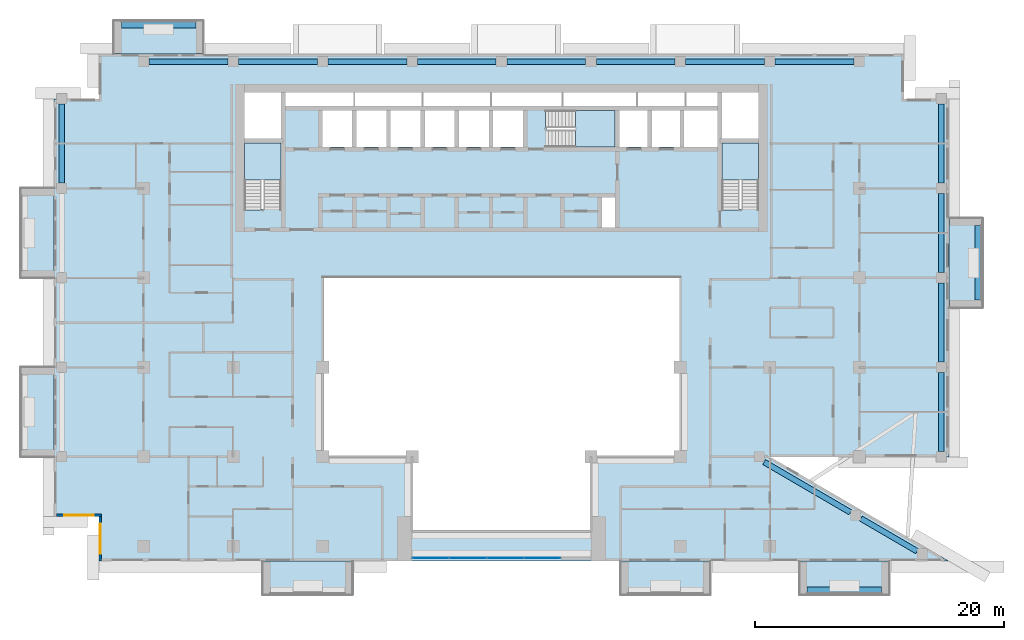
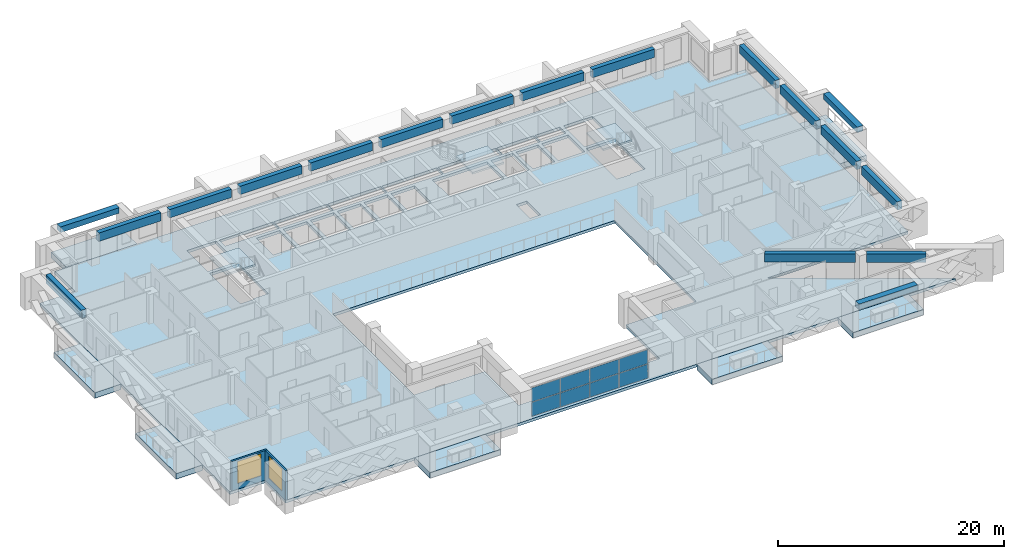
# One storey, part 5 of 20: 18 beams, 11 slabs, 8 plates, 2 walls, 2 windows, 2 openings, 4 elements without a shape of their own.
"""IFC4 building model written with IfcOpenShell, lengths in metres."""

from ifc_helpers import new_model, si_unit, direction, frame, frame_2d, origin, origin_2d, place, context, subcontext, project, spatial, polyline, rectangle, outline, extrude, source, transform, mapped, material, layer, layer_set, material_profile, profile_set, type_object, element, fill, aggregate, save


model = new_model("IFC4")

# Units and contexts
model_context = context("Model", 3, precision=1e-05, world=origin(), true_north=direction((0.0, 1.0)))
body_context = subcontext(model_context, "Body", "Model", "MODEL_VIEW")
ifc_project = project(units=[si_unit("LENGTHUNIT", "METRE"), si_unit("AREAUNIT", "SQUARE_METRE"), si_unit("VOLUMEUNIT", "CUBIC_METRE"), si_unit("PLANEANGLEUNIT", "RADIAN"), si_unit("MASSUNIT", "GRAM", prefix="KILO")], contexts=[model_context])

# Site, building, storey
site_placement = place(None, origin())
site = spatial("IfcSite", under=ifc_project, at=site_placement, CompositionType="ELEMENT")
building_placement = place(site_placement, origin())
building = spatial("IfcBuilding", under=site, at=building_placement, Name="Saffron Iwan Residences", CompositionType="ELEMENT")
storey_placement = place(building_placement, frame((0.0, 0.0, 153.5)))
storey = spatial("IfcBuildingStorey", under=building, at=storey_placement, Name="L40", CompositionType="ELEMENT", Elevation=153.5)

# Beams
ifc_material_1 = material(Name="Concrete C50/60", Category="concrete")
ifc_material_profile_1 = material_profile(ifc_material_1, rectangle(XDim=0.449951171875, YDim=0.89990234375, at=origin_2d()), Name="RC 450x900")
ifc_profile_set_1 = profile_set([ifc_material_profile_1], Name="Concrete C50/60")
beam_type_1 = type_object("IfcBeamType", Name="SPANDREL BEAM RC 450x900 C50/60 TOP 3200", PredefinedType="SPANDREL", material=ifc_profile_set_1)
shared_shape_1 = source(origin(), body_context, "Body", "SweptSolid", [
    extrude(rectangle(XDim=0.449951171875, YDim=0.89990234375, at=origin_2d()), origin(), (0.0, 0.0, 1.0), 5.24267578125),
])
beam_1_placement = place(storey_placement, frame((79.32275390625, 43.03369140625, 2.75), z_axis=(0.863783967805, -0.503862339299, 0.0), x_axis=(0.503862339299, 0.863783967805, 0.0)))
element("IfcBeam", 1, at=beam_1_placement, inside=storey, type_object=beam_type_1, Name="Spandrel beam", PredefinedType="SPANDREL", context=body_context, shape_type="MappedRepresentation", body=[
    mapped(shared_shape_1, transform((0.0, 0.0, 0.0))),
])
shared_shape_2 = source(origin(), body_context, "Body", "SweptSolid", [
    extrude(rectangle(XDim=0.449951171875, YDim=0.89990234375, at=origin_2d()), origin(), (0.0, 0.0, 1.0), 8.028564453125),
])
beam_2_placement = place(storey_placement, frame((71.537841796875, 47.574951171875, 2.75), z_axis=(0.863773386225, -0.503880479132, 0.0), x_axis=(0.503880479132, 0.863773386225, 0.0)))
element("IfcBeam", 2, at=beam_2_placement, inside=storey, type_object=beam_type_1, Name="Spandrel beam", PredefinedType="SPANDREL", context=body_context, shape_type="MappedRepresentation", body=[
    mapped(shared_shape_2, transform((0.0, 0.0, 0.0))),
])
shared_shape_3 = source(origin(), body_context, "Body", "SweptSolid", [
    extrude(rectangle(XDim=0.449951171875, YDim=0.89990234375, at=origin_2d()), origin(), (0.0, 0.0, 1.0), 6.349853515625),
])
for number, where, z_axis, x_axis, name in (
    (3, (85.800048828125, 54.77490234375, 2.75), (0.0, -1.0, 0.0), (1.0, 0.0, 0.0), "Spandrel beam"),
    (4, (29.22509765625, 79.800048828125, 2.75), (1.0, 0.0, 0.0), (0.0, 1.0, 0.0), "Spandrel beam"),
    (5, (36.425048828125, 79.800048828125, 2.75), (1.0, 0.0, 0.0), (0.0, 1.0, 0.0), "Spandrel beam"),
    (6, (65.22509765625, 79.800048828125, 2.75), (1.0, 0.0, 0.0), (0.0, 1.0, 0.0), "Spandrel beam"),
    (7, (72.425048828125, 79.800048828125, 2.75), (1.0, 0.0, 0.0), (0.0, 1.0, 0.0), "Spandrel beam"),
):
    element("IfcBeam", number, at=place(storey_placement, frame(where, z_axis=z_axis, x_axis=x_axis)), inside=storey, type_object=beam_type_1, Name=name, PredefinedType="SPANDREL", context=body_context, shape_type="MappedRepresentation", body=[
        mapped(shared_shape_3, transform((0.0, 0.0, 0.0))),
    ])
shared_shape_4 = source(origin(), body_context, "Body", "SweptSolid", [
    extrude(rectangle(XDim=0.449951171875, YDim=0.89990234375, at=origin_2d()), origin(), (0.0, 0.0, 1.0), 6.35009765625),
])
for number, where, z_axis, x_axis, name in (
    (8, (85.800048828125, 61.97509765625, 2.75), (0.0, -1.0, 0.0), (1.0, 0.0, 0.0), "Spandrel beam"),
    (9, (85.800048828125, 69.175048828125, 2.75), (0.0, -1.0, 0.0), (1.0, 0.0, 0.0), "Spandrel beam"),
    (10, (15.0, 70.02490234375, 2.75), (0.0, 1.0, 0.0), (-1.0, 0.0, 0.0), "Spandrel beam"),
    (11, (85.800048828125, 76.375, 2.75), (0.0, -1.0, 0.0), (1.0, 0.0, 0.0), "Spandrel beam"),
    (12, (22.02490234375, 79.800048828125, 2.75), (1.0, 0.0, 0.0), (0.0, 1.0, 0.0), "Spandrel beam"),
    (13, (43.625, 79.800048828125, 2.75), (1.0, 0.0, 0.0), (0.0, 1.0, 0.0), "Spandrel beam"),
    (14, (50.824951171875, 79.800048828125, 2.75), (1.0, 0.0, 0.0), (0.0, 1.0, 0.0), "Spandrel beam"),
    (15, (58.02490234375, 79.800048828125, 2.75), (1.0, 0.0, 0.0), (0.0, 1.0, 0.0), "Spandrel beam"),
):
    element("IfcBeam", number, at=place(storey_placement, frame(where, z_axis=z_axis, x_axis=x_axis)), inside=storey, type_object=beam_type_1, Name=name, PredefinedType="SPANDREL", context=body_context, shape_type="MappedRepresentation", body=[
        mapped(shared_shape_4, transform((0.0, 0.0, 0.0))),
    ])
ifc_material_2 = material(Name="Concrete C50/60 white painted", Category="concrete")
ifc_material_profile_2 = material_profile(ifc_material_2, rectangle(XDim=0.60009765625, YDim=0.60009765625, at=origin_2d()), Name="BALCONY FASCIA BEAM 600 x 600")
ifc_profile_set_2 = profile_set([ifc_material_profile_2], Name="Concrete C50/60 white painted")
beam_type_2 = type_object("IfcBeamType", Name="BALCONY FASCIA BEAM 600 x 600", PredefinedType="BEAM", material=ifc_profile_set_2)
shared_shape_5 = source(origin(), body_context, "Body", "SweptSolid", [
    extrude(rectangle(XDim=0.60009765625, YDim=0.60009765625, at=origin_2d()), origin(), (0.0, 0.0, 1.0), 6.0),
])
for number, where, z_axis, x_axis, name in (
    (16, (88.800048828125, 60.60009765625, 2.550048828125), (0.0, 1.0, 0.0), (-1.0, 0.0, 0.0), "Balcony fascia beam L40 F2-0"),
    (17, (25.800048828125, 82.800048828125, 2.550048828125), (-1.0, 0.0, 0.0), (0.0, -1.0, 0.0), "Balcony fascia beam L40 F5-3"),
    (18, (75.0, 37.199951171875, 2.550048828125), (1.0, 0.0, 0.0), (0.0, 1.0, 0.0), "Balcony fascia beam L40 11-2"),
):
    element("IfcBeam", number, at=place(storey_placement, frame(where, z_axis=z_axis, x_axis=x_axis)), inside=storey, type_object=beam_type_2, Name=name, PredefinedType="BEAM", context=body_context, shape_type="MappedRepresentation", body=[
        mapped(shared_shape_5, transform((0.0, 0.0, 0.0))),
    ])

# Slabs
ifc_layer_1 = layer(ifc_material_2, 0.60009765625)
ifc_layer_set_1 = layer_set([ifc_layer_1], Name="Concrete C50/60 white painted")
slab_type_1 = type_object("IfcSlabType", Name="BALCONY FRAME SLAB 600", PredefinedType="FLOOR", material=ifc_layer_set_1)
slab_1_placement = place(storey_placement, frame((0.0, 0.0, -0.60009765625)))
element("IfcSlab", 19, at=slab_1_placement, inside=storey, type_object=slab_type_1, Name="Balcony frame slab L40 F2-0", PredefinedType="FLOOR", context=body_context, shape_type="SweptSolid", body=[
    extrude(outline(polyline([(89.10009765625, 60.0), (89.10009765625, 67.199951171875), (86.39990234375, 67.199951171875), (86.39990234375, 60.0), (89.10009765625, 60.0)])), origin(), (0.0, 0.0, 1.0), 0.60009765625),
])
slab_2_placement = place(storey_placement, frame((0.0, 0.0, -0.60009765625)))
element("IfcSlab", 20, at=slab_2_placement, inside=storey, type_object=slab_type_1, Name="Balcony frame slab L40 F5-3", PredefinedType="FLOOR", context=body_context, shape_type="SweptSolid", body=[
    extrude(outline(polyline([(26.39990234375, 83.10009765625), (19.199951171875, 83.10009765625), (19.199951171875, 80.39990234375), (26.39990234375, 80.39990234375), (26.39990234375, 83.10009765625)])), origin(), (0.0, 0.0, 1.0), 0.60009765625),
])
slab_3_placement = place(storey_placement, frame((0.0, 0.0, -0.60009765625)))
element("IfcSlab", 21, at=slab_3_placement, inside=storey, type_object=slab_type_1, Name="Balcony frame slab L40 F8-0", PredefinedType="FLOOR", context=body_context, shape_type="SweptSolid", body=[
    extrude(outline(polyline([(11.699951171875, 69.60009765625), (11.699951171875, 62.39990234375), (14.39990234375, 62.39990234375), (14.39990234375, 69.60009765625), (11.699951171875, 69.60009765625)])), origin(), (0.0, 0.0, 1.0), 0.60009765625),
])
slab_4_placement = place(storey_placement, frame((0.0, 0.0, -0.60009765625)))
element("IfcSlab", 22, at=slab_4_placement, inside=storey, type_object=slab_type_1, Name="Balcony frame slab L40 F8-1", PredefinedType="FLOOR", context=body_context, shape_type="SweptSolid", body=[
    extrude(outline(polyline([(11.699951171875, 55.199951171875), (11.699951171875, 48.0), (14.39990234375, 48.0), (14.39990234375, 55.199951171875), (11.699951171875, 55.199951171875)])), origin(), (0.0, 0.0, 1.0), 0.60009765625),
])
slab_5_placement = place(storey_placement, frame((0.0, 0.0, -0.60009765625)))
element("IfcSlab", 23, at=slab_5_placement, inside=storey, type_object=slab_type_1, Name="Balcony frame slab L40 11-0", PredefinedType="FLOOR", context=body_context, shape_type="SweptSolid", body=[
    extrude(outline(polyline([(31.199951171875, 36.89990234375), (38.39990234375, 36.89990234375), (38.39990234375, 39.60009765625), (31.199951171875, 39.60009765625), (31.199951171875, 36.89990234375)])), origin(), (0.0, 0.0, 1.0), 0.60009765625),
])
slab_6_placement = place(storey_placement, frame((0.0, 0.0, -0.60009765625)))
element("IfcSlab", 24, at=slab_6_placement, inside=storey, type_object=slab_type_1, Name="Balcony frame slab L40 11-1", PredefinedType="FLOOR", context=body_context, shape_type="SweptSolid", body=[
    extrude(outline(polyline([(60.0, 36.89990234375), (67.199951171875, 36.89990234375), (67.199951171875, 39.60009765625), (60.0, 39.60009765625), (60.0, 36.89990234375)])), origin(), (0.0, 0.0, 1.0), 0.60009765625),
])
slab_7_placement = place(storey_placement, frame((0.0, 0.0, -0.60009765625)))
element("IfcSlab", 25, at=slab_7_placement, inside=storey, type_object=slab_type_1, Name="Balcony frame slab L40 11-2", PredefinedType="FLOOR", context=body_context, shape_type="SweptSolid", body=[
    extrude(outline(polyline([(74.39990234375, 36.89990234375), (81.60009765625, 36.89990234375), (81.60009765625, 39.60009765625), (74.39990234375, 39.60009765625), (74.39990234375, 36.89990234375)])), origin(), (0.0, 0.0, 1.0), 0.60009765625),
])
ifc_material_3 = material(Name="Concrete C40/50", Category="concrete")
ifc_layer_2 = layer(ifc_material_3, 0.300048828125)
ifc_layer_set_2 = layer_set([ifc_layer_2], Name="Concrete C40/50")
slab_type_2 = type_object("IfcSlabType", Name="PT PLATE 300 C40/50", PredefinedType="FLOOR", material=ifc_layer_set_2)
slab_8_placement = place(storey_placement, frame((0.0, 0.0, -0.300048828125)))
element("IfcSlab", 26, at=slab_8_placement, inside=storey, type_object=slab_type_2, Name="Floor slab L40", PredefinedType="FLOOR", context=body_context, shape_type="SweptSolid", body=[
    extrude(outline(polyline([(14.39990234375, 43.199951171875), (14.39990234375, 76.800048828125), (18.0, 76.800048828125), (18.0, 80.39990234375), (82.800048828125, 80.39990234375), (82.800048828125, 76.800048828125), (86.39990234375, 76.800048828125), (86.39990234375, 48.0), (72.0, 48.0), (86.39990234375, 39.60009765625), (18.0, 39.60009765625), (18.0, 43.199951171875), (14.39990234375, 43.199951171875)]), holes=[polyline([(64.800048828125, 48.0), (64.800048828125, 62.39990234375), (36.0, 62.39990234375), (36.0, 48.0), (43.199951171875, 48.0), (43.199951171875, 42.0), (57.60009765625, 42.0), (57.60009765625, 48.0), (64.800048828125, 48.0)]), polyline([(29.699951171875, 73.25), (29.699951171875, 67.949951171875), (29.699951171875, 67.8505859375), (31.10009765625, 67.8505859375), (31.10009765625, 67.949951171875), (32.64990234375, 67.949951171875), (32.64990234375, 73.25), (29.699951171875, 73.25)]), polyline([(38.375, 75.875), (35.97509765625, 75.875), (35.97509765625, 72.925048828125), (38.375, 72.925048828125), (38.375, 75.875)]), polyline([(41.125, 75.875), (38.72509765625, 75.875), (38.72509765625, 72.925048828125), (41.125, 72.925048828125), (41.125, 75.875)]), polyline([(43.875, 72.925048828125), (43.875, 75.875), (41.47509765625, 75.875), (41.47509765625, 72.925048828125), (43.875, 72.925048828125)]), polyline([(46.625, 72.925048828125), (46.625, 75.875), (44.22509765625, 75.875), (44.22509765625, 72.925048828125), (46.625, 72.925048828125)]), polyline([(49.375, 75.875), (46.97509765625, 75.875), (46.97509765625, 72.925048828125), (49.375, 72.925048828125), (49.375, 75.875)]), polyline([(52.125, 72.925048828125), (52.125, 75.875), (49.72509765625, 75.875), (49.72509765625, 72.925048828125), (52.125, 72.925048828125)]), polyline([(32.64990234375, 73.60009765625), (32.64990234375, 77.300048828125), (29.699951171875, 77.300048828125), (29.699951171875, 73.60009765625), (32.64990234375, 73.60009765625)]), polyline([(38.5, 77.300048828125), (33.0, 77.300048828125), (33.0, 76.22509765625), (38.5, 76.22509765625), (38.5, 77.300048828125)]), polyline([(44.0, 76.22509765625), (44.0, 77.300048828125), (38.60009765625, 77.300048828125), (38.60009765625, 76.22509765625), (44.0, 76.22509765625)]), polyline([(49.5, 76.22509765625), (49.5, 77.300048828125), (44.10009765625, 77.300048828125), (44.10009765625, 76.22509765625), (49.5, 76.22509765625)]), polyline([(59.550048828125, 68.875), (58.47509765625, 68.875), (58.47509765625, 66.449951171875), (59.550048828125, 66.449951171875), (59.550048828125, 68.875)]), polyline([(68.14990234375, 73.25), (68.14990234375, 67.949951171875), (68.14990234375, 67.8505859375), (69.550048828125, 67.8505859375), (69.550048828125, 67.949951171875), (71.10009765625, 67.949951171875), (71.10009765625, 73.25), (68.14990234375, 73.25)]), polyline([(54.02490234375, 74.47509765625), (54.02490234375, 72.925048828125), (59.550048828125, 72.925048828125), (59.550048828125, 75.875), (54.02490234375, 75.875), (53.925537109375, 75.875), (53.925537109375, 74.47509765625), (54.02490234375, 74.47509765625)]), polyline([(62.14990234375, 72.925048828125), (62.14990234375, 75.875), (59.89990234375, 75.875), (59.89990234375, 72.925048828125), (62.14990234375, 72.925048828125)]), polyline([(64.75, 72.925048828125), (64.75, 75.875), (62.5, 75.875), (62.5, 72.925048828125), (64.75, 72.925048828125)]), polyline([(67.800048828125, 75.875), (65.10009765625, 75.875), (65.10009765625, 72.925048828125), (67.800048828125, 72.925048828125), (67.800048828125, 75.875)]), polyline([(71.10009765625, 73.60009765625), (71.10009765625, 77.300048828125), (68.14990234375, 77.300048828125), (68.14990234375, 73.60009765625), (71.10009765625, 73.60009765625)]), polyline([(55.25, 76.22509765625), (55.25, 77.300048828125), (49.60009765625, 77.300048828125), (49.60009765625, 76.22509765625), (55.25, 76.22509765625)]), polyline([(61.25, 77.300048828125), (55.35009765625, 77.300048828125), (55.35009765625, 76.22509765625), (61.25, 76.22509765625), (61.25, 77.300048828125)]), polyline([(65.14990234375, 76.22509765625), (65.14990234375, 77.300048828125), (61.35009765625, 77.300048828125), (61.35009765625, 76.22509765625), (65.14990234375, 76.22509765625)]), polyline([(67.800048828125, 76.22509765625), (67.800048828125, 77.300048828125), (65.25, 77.300048828125), (65.25, 76.22509765625), (67.800048828125, 76.22509765625)])]), origin(), (0.0, 0.0, 1.0), 0.300048828125),
])

# Stair, slab
stair_type = type_object("IfcStairType", Name="Stair ST-CORE", PredefinedType="HALF_TURN_STAIR", material=ifc_material_1)
stair_1_placement = place(storey_placement, origin())
stair_1 = element("IfcStair", 27, at=stair_1_placement, inside=storey, type_object=stair_type, Name="L40 Exit Stair ST-W", PredefinedType="HALF_TURN_STAIR")
ifc_layer_3 = layer(ifc_material_1, 0.199951171875)
ifc_layer_set_3 = layer_set([ifc_layer_3], Name="Concrete C50/60")
slab_type_3 = type_object("IfcSlabType", Name="Stair landing SL-RC", PredefinedType="LANDING", material=ifc_layer_set_3)
slab_9_placement = place(storey_placement, frame((0.0, 0.0, 1.5498046875)))
slab_9 = element("IfcSlab", 28, at=slab_9_placement, type_object=slab_type_3, Name="ST-W landing 1", PredefinedType="LANDING", context=body_context, shape_type="SweptSolid", body=[
    extrude(outline(polyline([(32.64990234375, 70.280029296875), (32.64990234375, 73.25), (29.699951171875, 73.25), (29.699951171875, 70.280029296875), (32.64990234375, 70.280029296875)])), origin(), (0.0, 0.0, 1.0), 0.2001953125),
])
aggregate(stair_1, [slab_9])

stair_2_placement = place(storey_placement, origin())
stair_2 = element("IfcStair", 29, at=stair_2_placement, inside=storey, type_object=stair_type, Name="L40 Exit Stair ST-C", PredefinedType="HALF_TURN_STAIR")
slab_10_placement = place(storey_placement, frame((0.0, 0.0, 1.5498046875)))
slab_10 = element("IfcSlab", 30, at=slab_10_placement, type_object=slab_type_3, Name="ST-C landing 1", PredefinedType="LANDING", context=body_context, shape_type="SweptSolid", body=[
    extrude(outline(polyline([(56.35498046875, 72.925048828125), (59.550048828125, 72.925048828125), (59.550048828125, 75.875), (56.35498046875, 75.875), (56.35498046875, 72.925048828125)])), origin(), (0.0, 0.0, 1.0), 0.2001953125),
])
aggregate(stair_2, [slab_10])

stair_3_placement = place(storey_placement, origin())
stair_3 = element("IfcStair", 31, at=stair_3_placement, inside=storey, type_object=stair_type, Name="L40 Exit Stair ST-E", PredefinedType="HALF_TURN_STAIR")
slab_11_placement = place(storey_placement, frame((0.0, 0.0, 1.5498046875)))
slab_11 = element("IfcSlab", 32, at=slab_11_placement, type_object=slab_type_3, Name="ST-E landing 1", PredefinedType="LANDING", context=body_context, shape_type="SweptSolid", body=[
    extrude(outline(polyline([(71.10009765625, 70.280029296875), (71.10009765625, 73.25), (68.14990234375, 73.25), (68.14990234375, 70.280029296875), (71.10009765625, 70.280029296875)])), origin(), (0.0, 0.0, 1.0), 0.2001953125),
])
aggregate(stair_3, [slab_11])

# Curtain wall, plates
ifc_material_4 = material(Name="Clear glass, laminated double glazed", Category="glass")
ifc_layer_4 = layer(ifc_material_4, 0.199951171875)
ifc_layer_set_4 = layer_set([ifc_layer_4], Name="Clear glass, laminated double glazed")
curtain_wall_type = type_object("IfcCurtainWallType", Name="CW-B IWAN PORTAL", PredefinedType="NOTDEFINED", material=ifc_layer_set_4)
curtain_wall_placement = place(storey_placement, origin())
curtain_wall = element("IfcCurtainWall", 33, at=curtain_wall_placement, inside=storey, type_object=curtain_wall_type, Name="Iwan portal glazing L40.1", PredefinedType="NOTDEFINED")
ifc_layer_5 = layer(ifc_material_4, 0.028076171875)
ifc_layer_set_5 = layer_set([ifc_layer_5], Name="Clear glass, laminated double glazed")
plate_type = type_object("IfcPlateType", Name="CW-B PANEL 28", PredefinedType="CURTAIN_PANEL", material=ifc_layer_set_5)
shared_shape_6 = source(origin(), body_context, "Body", "SweptSolid", [
    extrude(rectangle(XDim=2.909912109375, YDim=0.028076171875, at=origin_2d()), origin(), (0.0, 0.0, 1.0), 1.510009765625),
])
plate_1_placement = place(storey_placement, frame((44.715087890625, 39.85009765625, 0.06005859375), z_axis=(0.0, 0.0, 1.0), x_axis=(1.0, 0.0, 0.0)))
plate_1 = element("IfcPlate", 34, at=plate_1_placement, type_object=plate_type, Name="CW-B panel 1.1", PredefinedType="CURTAIN_PANEL", context=body_context, shape_type="MappedRepresentation", body=[
    mapped(shared_shape_6, transform((0.0, 0.0, 0.0))),
])
plate_2_placement = place(storey_placement, frame((44.715087890625, 39.85009765625, 1.6298828125), z_axis=(0.0, 0.0, 1.0), x_axis=(1.0, 0.0, 0.0)))
plate_2 = element("IfcPlate", 35, at=plate_2_placement, type_object=plate_type, Name="CW-B panel 1.2", PredefinedType="CURTAIN_PANEL", context=body_context, shape_type="MappedRepresentation", body=[
    mapped(shared_shape_6, transform((0.0, 0.0, 0.0))),
])
plate_3_placement = place(storey_placement, frame((53.68505859375, 39.85009765625, 0.06005859375), z_axis=(0.0, 0.0, 1.0), x_axis=(1.0, 0.0, 0.0)))
plate_3 = element("IfcPlate", 36, at=plate_3_placement, type_object=plate_type, Name="CW-B panel 4.1", PredefinedType="CURTAIN_PANEL", context=body_context, shape_type="MappedRepresentation", body=[
    mapped(shared_shape_6, transform((0.0, 0.0, 0.0))),
])
plate_4_placement = place(storey_placement, frame((53.68505859375, 39.85009765625, 1.6298828125), z_axis=(0.0, 0.0, 1.0), x_axis=(1.0, 0.0, 0.0)))
plate_4 = element("IfcPlate", 37, at=plate_4_placement, type_object=plate_type, Name="CW-B panel 4.2", PredefinedType="CURTAIN_PANEL", context=body_context, shape_type="MappedRepresentation", body=[
    mapped(shared_shape_6, transform((0.0, 0.0, 0.0))),
])
shared_shape_7 = source(origin(), body_context, "Body", "SweptSolid", [
    extrude(rectangle(XDim=2.93994140625, YDim=0.028076171875, at=origin_2d()), origin(), (0.0, 0.0, 1.0), 1.510009765625),
])
plate_5_placement = place(storey_placement, frame((47.699951171875, 39.85009765625, 0.06005859375), z_axis=(0.0, 0.0, 1.0), x_axis=(1.0, 0.0, 0.0)))
plate_5 = element("IfcPlate", 38, at=plate_5_placement, type_object=plate_type, Name="CW-B panel 2.1", PredefinedType="CURTAIN_PANEL", context=body_context, shape_type="MappedRepresentation", body=[
    mapped(shared_shape_7, transform((0.0, 0.0, 0.0))),
])
plate_6_placement = place(storey_placement, frame((47.699951171875, 39.85009765625, 1.6298828125), z_axis=(0.0, 0.0, 1.0), x_axis=(1.0, 0.0, 0.0)))
plate_6 = element("IfcPlate", 39, at=plate_6_placement, type_object=plate_type, Name="CW-B panel 2.2", PredefinedType="CURTAIN_PANEL", context=body_context, shape_type="MappedRepresentation", body=[
    mapped(shared_shape_7, transform((0.0, 0.0, 0.0))),
])
plate_7_placement = place(storey_placement, frame((50.699951171875, 39.85009765625, 0.06005859375), z_axis=(0.0, 0.0, 1.0), x_axis=(1.0, 0.0, 0.0)))
plate_7 = element("IfcPlate", 40, at=plate_7_placement, type_object=plate_type, Name="CW-B panel 3.1", PredefinedType="CURTAIN_PANEL", context=body_context, shape_type="MappedRepresentation", body=[
    mapped(shared_shape_7, transform((0.0, 0.0, 0.0))),
])
plate_8_placement = place(storey_placement, frame((50.699951171875, 39.85009765625, 1.6298828125), z_axis=(0.0, 0.0, 1.0), x_axis=(1.0, 0.0, 0.0)))
plate_8 = element("IfcPlate", 41, at=plate_8_placement, type_object=plate_type, Name="CW-B panel 3.2", PredefinedType="CURTAIN_PANEL", context=body_context, shape_type="MappedRepresentation", body=[
    mapped(shared_shape_7, transform((0.0, 0.0, 0.0))),
])
aggregate(curtain_wall, [plate_1, plate_2, plate_5, plate_6, plate_7, plate_8, plate_3, plate_4])

# Wall, opening, window
ifc_layer_6 = layer(ifc_material_3, 0.199951171875)
ifc_layer_set_6 = layer_set([ifc_layer_6], Name="Concrete C40/50")
wall_type = type_object("IfcWallType", Name="EXTERNAL WALL 200", PredefinedType="SOLIDWALL", material=ifc_layer_set_6)
wall_1_placement = place(storey_placement, frame((14.60009765625, 43.300048828125, 0.0), z_axis=(0.0, 0.0, 1.0), x_axis=(1.0, 0.0, 0.0)))
wall_1 = element("IfcWall", 42, at=wall_1_placement, inside=storey, type_object=wall_type, Name="External wall L40 F9.0", PredefinedType="SOLIDWALL", context=body_context, shape_type="SweptSolid", body=[
    extrude(rectangle(XDim=3.599853515625, YDim=0.199951171875, at=frame_2d((1.7998046875, 0.0))), origin(), (0.0, 0.0, 1.0), 3.199951171875),
])
opening_1_placement = place(wall_1_placement, frame((0.60009765625, 0.0, 0.60009765625)))
opening_1 = element("IfcOpeningElement", 43, at=opening_1_placement, cuts=wall_1, Name="Opening W1", PredefinedType="OPENING", context=body_context, shape_type="SweptSolid", body=[
    extrude(rectangle(XDim=2.39990234375, YDim=2.39990234375, at=frame_2d((1.199951171875, 1.199951171875))), frame((0.0, 0.10986328125, 0.0), z_axis=(0.0, -1.0, 0.0), x_axis=(1.0, 0.0, 0.0)), (0.0, 0.0, 1.0), 0.219970703125),
])
window_type = type_object("IfcWindowType", Name="WINDOW 2400 x 2400", PartitioningType="DOUBLE_PANEL_VERTICAL", PredefinedType="WINDOW", material=ifc_material_4)
window_1_placement = place(opening_1_placement, origin())
window_1 = element("IfcWindow", 44, at=window_1_placement, inside=storey, type_object=window_type, Name="Window L40 F9.0", OverallHeight=2.39990234375, OverallWidth=2.39990234375, PartitioningType="DOUBLE_PANEL_VERTICAL", PredefinedType="WINDOW", context=body_context, shape_type="SweptSolid", body=[
    extrude(rectangle(XDim=2.39990234375, YDim=2.39990234375, at=frame_2d((1.199951171875, 1.199951171875))), frame((0.0, 0.030029296875, 0.0), z_axis=(0.0, -1.0, 0.0), x_axis=(1.0, 0.0, 0.0)), (0.0, 0.0, 1.0), 0.06005859375),
])
fill(opening_1, window_1)

wall_2_placement = place(storey_placement, frame((18.10009765625, 43.199951171875, 0.0), z_axis=(0.0, 0.0, 1.0), x_axis=(0.0, -1.0, 0.0)))
wall_2 = element("IfcWall", 45, at=wall_2_placement, inside=storey, type_object=wall_type, Name="External wall L40 F10.0", PredefinedType="SOLIDWALL", context=body_context, shape_type="SweptSolid", body=[
    extrude(rectangle(XDim=3.599853515625, YDim=0.199951171875, at=frame_2d((1.7998046875, 0.0))), origin(), (0.0, 0.0, 1.0), 3.199951171875),
])
opening_2_placement = place(wall_2_placement, frame((0.60009765625, 0.0, 0.60009765625)))
opening_2 = element("IfcOpeningElement", 46, at=opening_2_placement, cuts=wall_2, Name="Opening W1", PredefinedType="OPENING", context=body_context, shape_type="SweptSolid", body=[
    extrude(rectangle(XDim=2.39990234375, YDim=2.39990234375, at=frame_2d((1.199951171875, 1.199951171875))), frame((0.0, 0.10986328125, 0.0), z_axis=(0.0, -1.0, 0.0), x_axis=(1.0, 0.0, 0.0)), (0.0, 0.0, 1.0), 0.219970703125),
])
window_2_placement = place(opening_2_placement, origin())
window_2 = element("IfcWindow", 47, at=window_2_placement, inside=storey, type_object=window_type, Name="Window L40 F10.0", OverallHeight=2.39990234375, OverallWidth=2.39990234375, PartitioningType="DOUBLE_PANEL_VERTICAL", PredefinedType="WINDOW", context=body_context, shape_type="SweptSolid", body=[
    extrude(rectangle(XDim=2.39990234375, YDim=2.39990234375, at=frame_2d((1.199951171875, 1.199951171875))), frame((0.0, 0.030029296875, 0.0), z_axis=(0.0, -1.0, 0.0), x_axis=(1.0, 0.0, 0.0)), (0.0, 0.0, 1.0), 0.06005859375),
])
fill(opening_2, window_2)

save(model, "model.ifc")
